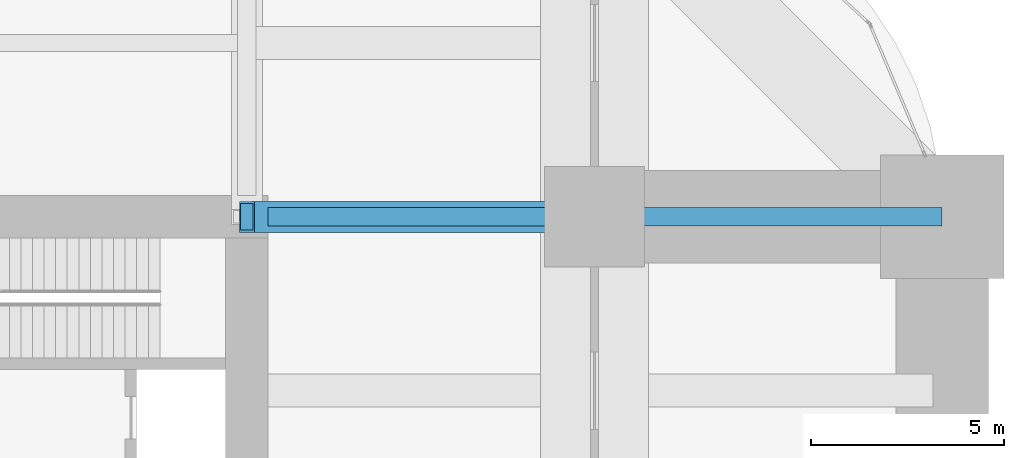
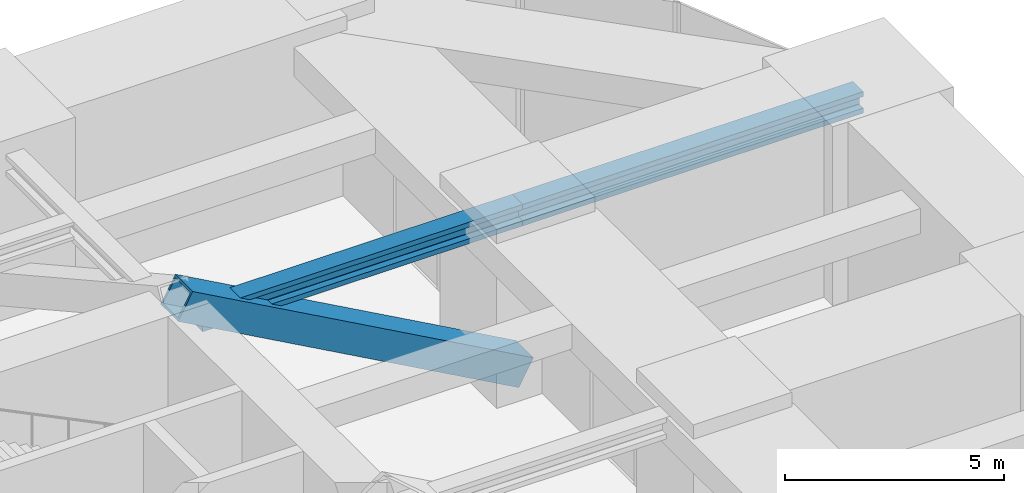
# One storey, part 30 of 38: 2 beams, 1 member.
"""IFC4 building model written with IfcOpenShell, lengths in metres."""

import ifcopenshell
import ifcopenshell.guid

model = None  # the IFC model being written
_history = None  # IfcOwnerHistory: only IFC2X3 demands one
_inside = {}  # id of a spatial element -> (the spatial element, [elements in it])
_under = {}  # id of a project, library or spatial element -> (it, [spatial elements below it])
_declared = {}  # id of a project -> (the project, [libraries it declares])
_typed = {}  # id of a type object -> (the type object, [elements of that type])
_made_of = {}  # id of a material, layer set ... -> (it, [elements and type objects made of it])


def new_model(schema):
    """Start an empty IFC model of exactly this schema.

    Asked for "IFC4X3", IfcOpenShell would pick the latest addendum, in which some entities
    have other attributes; the version numbers below select the first issue.
    IFC2X3 requires an IfcOwnerHistory on every rooted entity: one is made here for all.
    """
    global model, _history
    if schema == "IFC4X3":
        model = ifcopenshell.file(schema_version=(4, 3, 0, 0))
    else:
        model = ifcopenshell.file(schema=schema)
    _inside.clear()
    _under.clear()
    _declared.clear()
    _typed.clear()
    _made_of.clear()
    _history = None
    if model.schema == "IFC2X3":
        org = make("IfcOrganization", Name="unknown")
        user = make(
            "IfcPersonAndOrganization",
            ThePerson=make("IfcPerson", FamilyName="unknown"),
            TheOrganization=org,
        )
        app = make(
            "IfcApplication",
            ApplicationDeveloper=org,
            Version="unknown",
            ApplicationFullName="unknown",
            ApplicationIdentifier="unknown",
        )
        _history = make(
            "IfcOwnerHistory",
            OwningUser=user,
            OwningApplication=app,
            ChangeAction="ADDED",
            CreationDate=0,
        )
    return model


def make(cls, **values):
    """One entity of the class cls with the attributes given. An attribute that is None is left unset."""
    return model.create_entity(
        cls, **{name: value for name, value in values.items() if value is not None}
    )


def rooted(cls, **values):
    """An entity with a GlobalId (a new one), such as an element, a storey or a relation."""
    return make(cls, GlobalId=ifcopenshell.guid.new(), OwnerHistory=_history, **values)


def si_unit(unit_type, name, prefix=None):
    """IfcSIUnit, for example si_unit("LENGTHUNIT", "METRE", prefix="MILLI")."""
    return make("IfcSIUnit", UnitType=unit_type, Prefix=prefix, Name=name)


def assignment(units):
    """IfcUnitAssignment: the units of a project."""
    return None if units is None else make("IfcUnitAssignment", Units=units)


def point(xyz):
    """IfcCartesianPoint."""
    return None if xyz is None else make("IfcCartesianPoint", Coordinates=xyz)


def direction(xyz):
    """IfcDirection."""
    return None if xyz is None else make("IfcDirection", DirectionRatios=xyz)


def frame(location, z_axis=None, x_axis=None):
    """IfcAxis2Placement3D, a coordinate frame: its origin and axes. An axis left out is left unset."""
    return make(
        "IfcAxis2Placement3D",
        Location=point(location),
        Axis=direction(z_axis),
        RefDirection=direction(x_axis),
    )


def frame_2d(location, x_axis=None):
    """IfcAxis2Placement2D, a coordinate frame in the plane: its origin and x axis."""
    return make(
        "IfcAxis2Placement2D", Location=point(location), RefDirection=direction(x_axis)
    )


def origin():
    """The frame at (0, 0, 0) with its axes left unset."""
    return frame((0.0, 0.0, 0.0))


def origin_2d():
    """The frame at (0, 0) in the plane with its x axis left unset."""
    return frame_2d((0.0, 0.0))


def place(relative_to, where):
    """IfcLocalPlacement: puts the frame where relative to a parent placement (None: the world)."""
    return make(
        "IfcLocalPlacement", PlacementRelTo=relative_to, RelativePlacement=where
    )


def context(
    kind, dimensions, precision=None, world=None, true_north=None, identifier=None
):
    """IfcGeometricRepresentationContext, for example the 3D "Model" context."""
    return make(
        "IfcGeometricRepresentationContext",
        ContextIdentifier=identifier,
        ContextType=kind,
        CoordinateSpaceDimension=dimensions,
        Precision=precision,
        WorldCoordinateSystem=world,
        TrueNorth=true_north,
    )


def subcontext(parent, identifier, kind, view, scale=None):
    """IfcGeometricRepresentationSubContext, for example "Body" below "Model"."""
    return make(
        "IfcGeometricRepresentationSubContext",
        ContextIdentifier=identifier,
        ContextType=kind,
        ParentContext=parent,
        TargetScale=scale,
        TargetView=view,
    )


def project(units=None, contexts=None):
    """IfcProject with its units and contexts."""
    return rooted(
        "IfcProject",
        Name="project",
        RepresentationContexts=contexts,
        UnitsInContext=assignment(units),
    )


def spatial(cls, under=None, at=None, **own):
    """A site, building, storey or space (cls), placed at a placement, below another one or the project."""
    s = rooted(cls, ObjectPlacement=at, **own)
    if under is not None:
        _under.setdefault(under.id(), (under, []))[1].append(s)
    return s


def profile(cls, at=None, kind="AREA", **sizes):
    """A parametric profile (cls). Its sizes go by their IFC names, for example OverallWidth=200.0."""
    return make(cls, ProfileType=kind, Position=at, **sizes)


def hollow_rectangle(**sizes):
    """IfcRectangleHollowProfileDef."""
    return profile("IfcRectangleHollowProfileDef", **sizes)


def i_section(**sizes):
    """IfcIShapeProfileDef."""
    return profile("IfcIShapeProfileDef", **sizes)


def extrude(swept, where, along, depth):
    """IfcExtrudedAreaSolid: the profile swept, set in the frame where, extruded along a direction by depth."""
    return make(
        "IfcExtrudedAreaSolid",
        SweptArea=swept,
        Position=where,
        ExtrudedDirection=direction(along),
        Depth=depth,
    )


def shape(context_of_items, identifier, shape_type, items):
    """IfcShapeRepresentation: the items that make up one representation, for example the "Body"."""
    return make(
        "IfcShapeRepresentation",
        ContextOfItems=context_of_items,
        RepresentationIdentifier=identifier,
        RepresentationType=shape_type,
        Items=items,
    )


def material(Name=None, Category=None):
    """IfcMaterial."""
    return make("IfcMaterial", Name=Name, Category=Category)


def material_profile(
    of_material, cross_section, Name=None, Category=None, Priority=None
):
    """IfcMaterialProfile: a cross section and its material."""
    return make(
        "IfcMaterialProfile",
        Name=Name,
        Material=of_material,
        Profile=cross_section,
        Priority=Priority,
        Category=Category,
    )


def profile_set(profiles, Name=None, composite=None):
    """IfcMaterialProfileSet."""
    return make(
        "IfcMaterialProfileSet",
        Name=Name,
        MaterialProfiles=profiles,
        CompositeProfile=composite,
    )


def made_of(thing, what):
    """Note that an element or type object is made of a material, layer set ...; save() writes the relation."""
    if what is not None:
        _made_of.setdefault(what.id(), (what, []))[1].append(thing)
    return thing


def type_object(cls, material=None, **own):
    """A type object (cls), such as IfcWallType, which elements share."""
    return made_of(rooted(cls, **own), material)


def element(
    cls,
    number,
    at=None,
    inside=None,
    cuts=None,
    type_object=None,
    material=None,
    context=None,
    identifier="Body",
    shape_type=None,
    held_by="IfcProductDefinitionShape",
    body=None,
    shapes=None,
    **own,
):
    """One element of the class cls, such as IfcWall. Its Tag is "e" and its number.

    at: its placement. inside: the storey or other place that contains it. cuts: it is an
    opening in that element (IfcRelVoidsElement). A single representation is given by context,
    identifier, shape_type and body (its items); several are given by shapes. held_by: the class
    of the entity that holds the representations. save() writes the other relations.
    """
    e = rooted(cls, Tag="e%d" % number, ObjectPlacement=at, **own)
    if body is not None:
        shapes = [shape(context, identifier, shape_type, body)]
    if shapes is not None:
        e.Representation = make(held_by, Representations=shapes)
    if inside is not None:
        _inside.setdefault(inside.id(), (inside, []))[1].append(e)
    if cuts is not None:
        rooted(
            "IfcRelVoidsElement", RelatingBuildingElement=cuts, RelatedOpeningElement=e
        )
    if type_object is not None:
        _typed.setdefault(type_object.id(), (type_object, []))[1].append(e)
    return made_of(e, material)


def aggregate(whole, parts):
    """IfcRelAggregates: a whole, such as a stair, and the parts it consists of."""
    return rooted("IfcRelAggregates", RelatingObject=whole, RelatedObjects=parts)


def save(model, path):
    """Write the relations noted so far, then the file.

    IfcRelAggregates (storeys below a building ...), IfcRelContainedInSpatialStructure (elements
    in a storey), IfcRelDefinesByType, IfcRelAssociatesMaterial and IfcRelDeclares: one each for
    every whole, place, type object, material and project.
    """
    for whole, parts in _under.values():
        aggregate(whole, parts)
    for where, things in _inside.values():
        rooted(
            "IfcRelContainedInSpatialStructure",
            RelatedElements=things,
            RelatingStructure=where,
        )
    for kind, things in _typed.values():
        rooted("IfcRelDefinesByType", RelatedObjects=things, RelatingType=kind)
    for what, things in _made_of.values():
        rooted("IfcRelAssociatesMaterial", RelatedObjects=things, RelatingMaterial=what)
    for by, libraries in _declared.values():
        rooted("IfcRelDeclares", RelatingContext=by, RelatedDefinitions=libraries)
    model.write(path)


model = new_model("IFC4")

# Units and contexts
model_context = context("Model", 3, precision=1e-05, world=origin(), true_north=direction((0.0, 1.0)))
body_context = subcontext(model_context, "Body", "Model", "MODEL_VIEW")
ifc_project = project(units=[si_unit("LENGTHUNIT", "METRE"), si_unit("AREAUNIT", "SQUARE_METRE"), si_unit("VOLUMEUNIT", "CUBIC_METRE"), si_unit("PLANEANGLEUNIT", "RADIAN"), si_unit("MASSUNIT", "GRAM", prefix="KILO")], contexts=[model_context])

# Site, building, storey
site_placement = place(None, origin())
site = spatial("IfcSite", under=ifc_project, at=site_placement, CompositionType="ELEMENT")
building_placement = place(site_placement, origin())
building = spatial("IfcBuilding", under=site, at=building_placement, Name="Zorevar Civic Tower", CompositionType="ELEMENT")
storey_placement = place(building_placement, frame((0.0, 0.0, 157.199951171875)))
storey = spatial("IfcBuildingStorey", under=building, at=storey_placement, Name="L38", CompositionType="ELEMENT", Elevation=157.199951171875)

# Beams
ifc_material_1 = material(Name="Steel S460M (HISTAR 460)", Category="steel")
ifc_material_profile_1 = material_profile(ifc_material_1, i_section(OverallWidth=0.47607421875, OverallDepth=0.60009765625, WebThickness=0.10009765625, FlangeThickness=0.139892578125, FilletRadius=0.014892578125, at=origin_2d()), Name="HD 400x1299")
ifc_profile_set_1 = profile_set([ifc_material_profile_1], Name="Steel S460M (HISTAR 460)")
beam_type = type_object("IfcBeamType", Name="Outrigger chord HD 400x1299", PredefinedType="BEAM", material=ifc_profile_set_1)
beam_1_placement = place(storey_placement, frame((45.550048828125, 36.0, 4.300048828125), z_axis=(1.0, 0.0, 0.0), x_axis=(0.0, 1.0, 0.0)))
element("IfcBeam", 1, at=beam_1_placement, inside=storey, type_object=beam_type, Name="Outrigger chord L39", PredefinedType="BEAM", context=body_context, shape_type="SweptSolid", body=[
    extrude(i_section(OverallWidth=0.47607421875, OverallDepth=0.60009765625, WebThickness=0.10009765625, FlangeThickness=0.139892578125, FilletRadius=0.014892578125, at=origin_2d()), origin(), (0.0, 0.0, 1.0), 8.449951171875),
])
beam_2_placement = place(storey_placement, frame((54.0, 36.0, 4.300048828125), z_axis=(1.0, 0.0, 0.0), x_axis=(0.0, 1.0, 0.0)))
element("IfcBeam", 2, at=beam_2_placement, inside=storey, type_object=beam_type, Name="Outrigger chord L39", PredefinedType="BEAM", context=body_context, shape_type="SweptSolid", body=[
    extrude(i_section(OverallWidth=0.47607421875, OverallDepth=0.60009765625, WebThickness=0.10009765625, FlangeThickness=0.139892578125, FilletRadius=0.014892578125, at=origin_2d()), origin(), (0.0, 0.0, 1.0), 9.0),
])

# Member
ifc_material_2 = material(Name="Steel S460M (HISTAR 460)", Category="steel")
ifc_material_profile_2 = material_profile(ifc_material_2, hollow_rectangle(XDim=0.800048828125, YDim=0.800048828125, WallThickness=0.06005859375, at=origin_2d()), Name="BOX 800x800x60")
ifc_profile_set_2 = profile_set([ifc_material_profile_2], Name="Steel S460M (HISTAR 460)")
member_type = type_object("IfcMemberType", Name="Outrigger diagonal BOX 800x800x60", PredefinedType="BRACE", material=ifc_profile_set_2)
member_placement = place(storey_placement, frame((45.0, 36.0, 5.0), z_axis=(0.874157276122, 0.0, -0.485642931179), x_axis=(0.0, 1.0, 0.0)))
element("IfcMember", 3, at=member_placement, inside=storey, type_object=member_type, Name="Outrigger diagonal E L38", PredefinedType="BRACE", context=body_context, shape_type="SweptSolid", body=[
    extrude(hollow_rectangle(XDim=0.800048828125, YDim=0.800048828125, WallThickness=0.06005859375, at=origin_2d()), origin(), (0.0, 0.0, 1.0), 10.295654296875),
])

save(model, "model.ifc")
